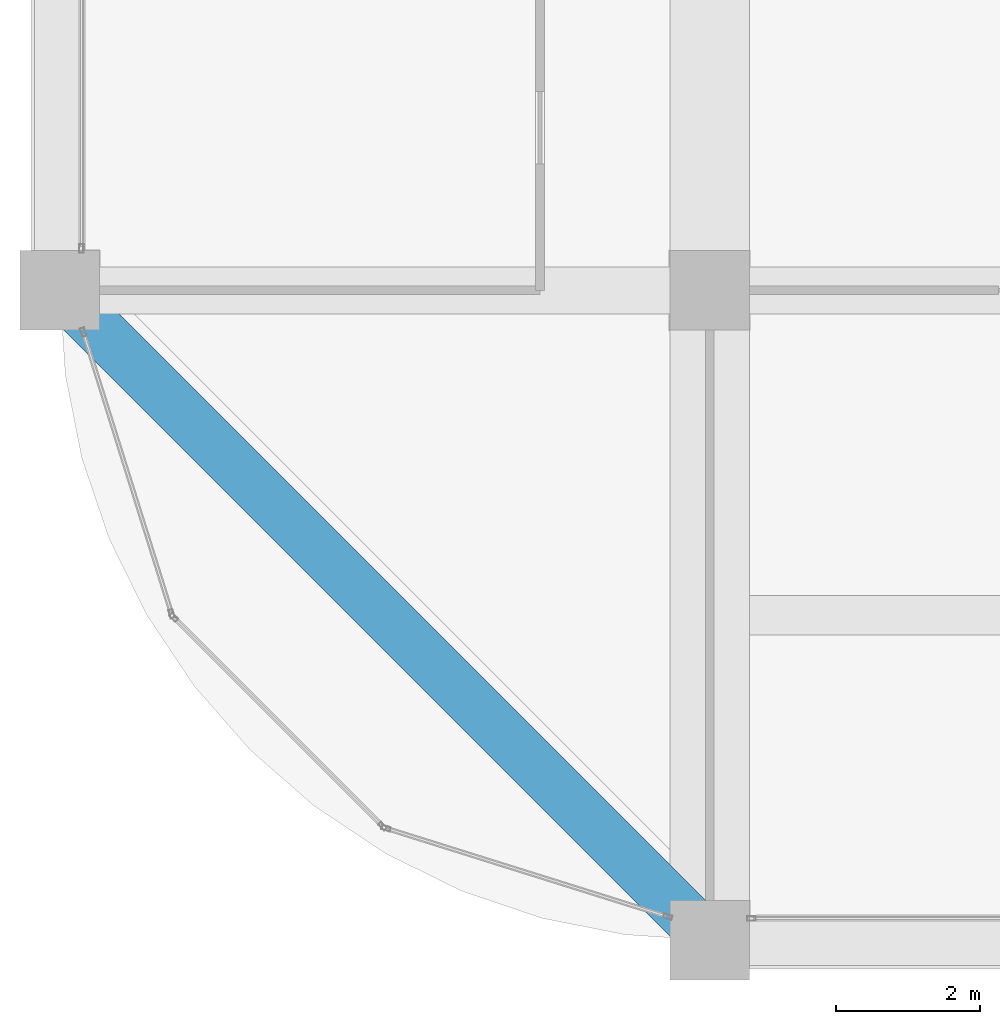
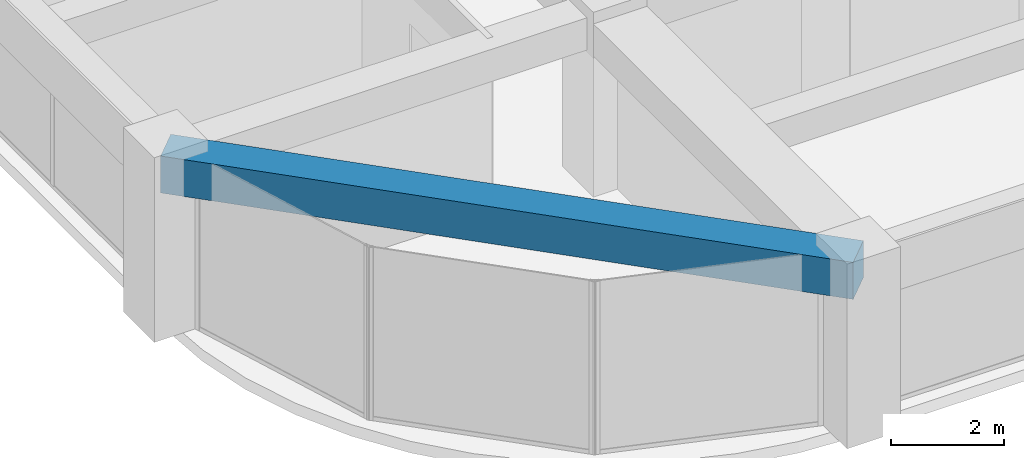
# One storey, part 3 of 45: 1 beam.
"""IFC4 building model written with IfcOpenShell, lengths in metres."""

from ifc_helpers import new_model, si_unit, direction, frame, origin, origin_2d, place, context, subcontext, project, spatial, rectangle, extrude, material, material_profile, profile_set, type_object, element, save


model = new_model("IFC4")

# Units and contexts
model_context = context("Model", 3, precision=1e-05, world=origin(), true_north=direction((0.0, 1.0)))
body_context = subcontext(model_context, "Body", "Model", "MODEL_VIEW")
ifc_project = project(units=[si_unit("LENGTHUNIT", "METRE"), si_unit("AREAUNIT", "SQUARE_METRE"), si_unit("VOLUMEUNIT", "CUBIC_METRE"), si_unit("PLANEANGLEUNIT", "RADIAN"), si_unit("MASSUNIT", "GRAM", prefix="KILO")], contexts=[model_context])

# Site, building, storey
site_placement = place(None, origin())
site = spatial("IfcSite", under=ifc_project, at=site_placement, CompositionType="ELEMENT")
building_placement = place(site_placement, origin())
building = spatial("IfcBuilding", under=site, at=building_placement, Name="Zorevar Civic Tower", CompositionType="ELEMENT")
storey_placement = place(building_placement, frame((0.0, 0.0, 291.39990234375)))
storey = spatial("IfcBuildingStorey", under=building, at=storey_placement, Name="L71", CompositionType="ELEMENT", Elevation=291.39990234375)

# Beam
ifc_material = material(Name="Concrete C50/60", Category="concrete")
ifc_material_profile = material_profile(ifc_material, rectangle(XDim=0.699951171875, YDim=0.800048828125, at=origin_2d()), Name="RC 700x800")
ifc_profile_set = profile_set([ifc_material_profile], Name="Concrete C50/60")
beam_type = type_object("IfcBeamType", Name="Edge beam RC 700x800", PredefinedType="SPANDREL", material=ifc_profile_set)
beam_placement = place(storey_placement, frame((9.0, 9.0, 3.35009765625), z_axis=(0.707106781187, -0.707106781187, 0.0), x_axis=(0.707106781187, 0.707106781187, 0.0)))
element("IfcBeam", 1, at=beam_placement, inside=storey, type_object=beam_type, Name="Corner edge beam L72", PredefinedType="SPANDREL", context=body_context, shape_type="SweptSolid", body=[
    extrude(rectangle(XDim=0.699951171875, YDim=0.800048828125, at=origin_2d()), origin(), (0.0, 0.0, 1.0), 12.72802734375),
])

save(model, "model.ifc")
